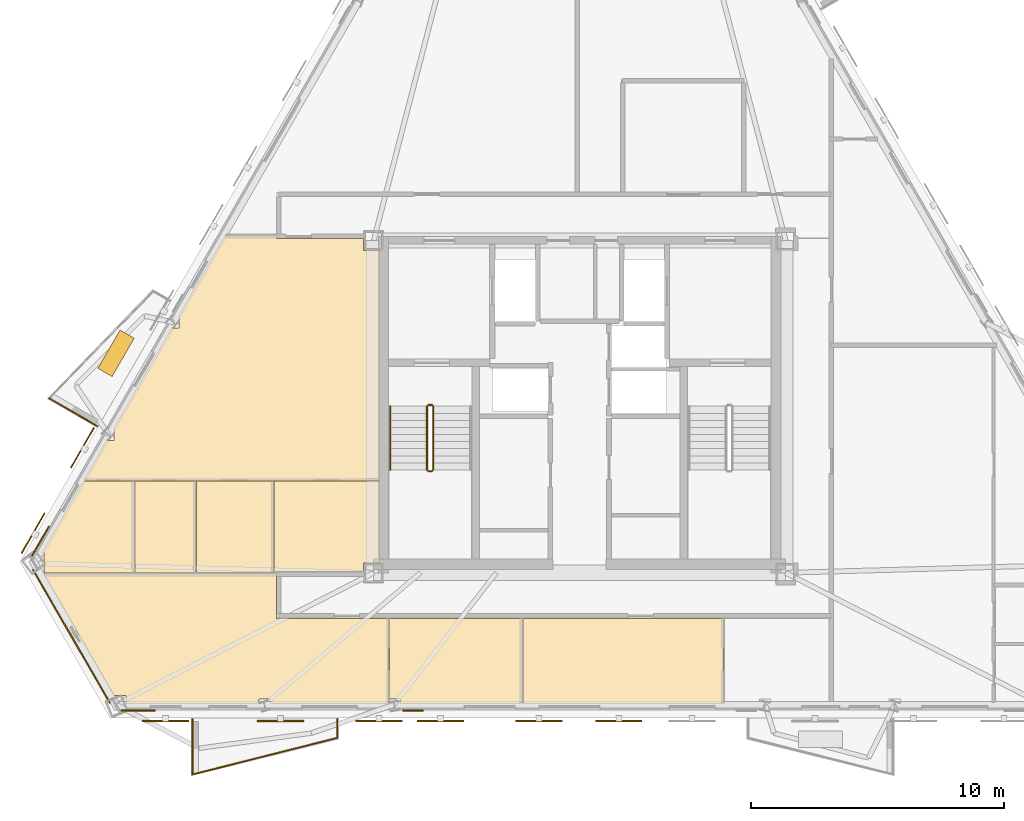
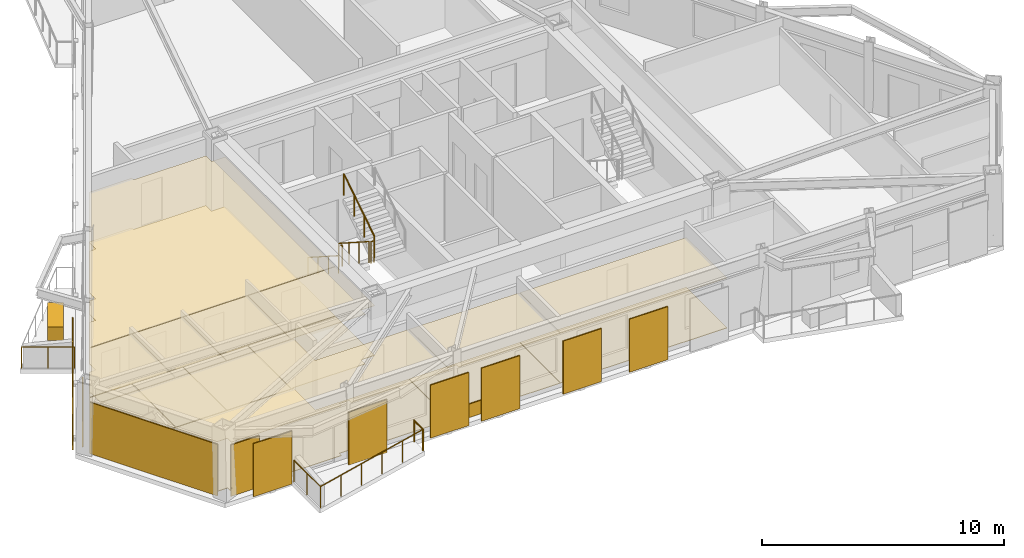
# One storey, part 7 of 9: 21 coverings, 9 railings, 8 shading devices.
"""IFC4 building model written with IfcOpenShell, lengths in metres."""

import ifcopenshell
import ifcopenshell.guid

model = None  # the IFC model being written
_history = None  # IfcOwnerHistory: only IFC2X3 demands one
_inside = {}  # id of a spatial element -> (the spatial element, [elements in it])
_under = {}  # id of a project, library or spatial element -> (it, [spatial elements below it])
_declared = {}  # id of a project -> (the project, [libraries it declares])
_typed = {}  # id of a type object -> (the type object, [elements of that type])
_made_of = {}  # id of a material, layer set ... -> (it, [elements and type objects made of it])


def new_model(schema):
    """Start an empty IFC model of exactly this schema.

    Asked for "IFC4X3", IfcOpenShell would pick the latest addendum, in which some entities
    have other attributes; the version numbers below select the first issue.
    IFC2X3 requires an IfcOwnerHistory on every rooted entity: one is made here for all.
    """
    global model, _history
    if schema == "IFC4X3":
        model = ifcopenshell.file(schema_version=(4, 3, 0, 0))
    else:
        model = ifcopenshell.file(schema=schema)
    _inside.clear()
    _under.clear()
    _declared.clear()
    _typed.clear()
    _made_of.clear()
    _history = None
    if model.schema == "IFC2X3":
        org = make("IfcOrganization", Name="unknown")
        user = make(
            "IfcPersonAndOrganization",
            ThePerson=make("IfcPerson", FamilyName="unknown"),
            TheOrganization=org,
        )
        app = make(
            "IfcApplication",
            ApplicationDeveloper=org,
            Version="unknown",
            ApplicationFullName="unknown",
            ApplicationIdentifier="unknown",
        )
        _history = make(
            "IfcOwnerHistory",
            OwningUser=user,
            OwningApplication=app,
            ChangeAction="ADDED",
            CreationDate=0,
        )
    return model


def make(cls, **values):
    """One entity of the class cls with the attributes given. An attribute that is None is left unset."""
    return model.create_entity(
        cls, **{name: value for name, value in values.items() if value is not None}
    )


def rooted(cls, **values):
    """An entity with a GlobalId (a new one), such as an element, a storey or a relation."""
    return make(cls, GlobalId=ifcopenshell.guid.new(), OwnerHistory=_history, **values)


def si_unit(unit_type, name, prefix=None):
    """IfcSIUnit, for example si_unit("LENGTHUNIT", "METRE", prefix="MILLI")."""
    return make("IfcSIUnit", UnitType=unit_type, Prefix=prefix, Name=name)


def assignment(units):
    """IfcUnitAssignment: the units of a project."""
    return None if units is None else make("IfcUnitAssignment", Units=units)


def point(xyz):
    """IfcCartesianPoint."""
    return None if xyz is None else make("IfcCartesianPoint", Coordinates=xyz)


def direction(xyz):
    """IfcDirection."""
    return None if xyz is None else make("IfcDirection", DirectionRatios=xyz)


def frame(location, z_axis=None, x_axis=None):
    """IfcAxis2Placement3D, a coordinate frame: its origin and axes. An axis left out is left unset."""
    return make(
        "IfcAxis2Placement3D",
        Location=point(location),
        Axis=direction(z_axis),
        RefDirection=direction(x_axis),
    )


def frame_2d(location, x_axis=None):
    """IfcAxis2Placement2D, a coordinate frame in the plane: its origin and x axis."""
    return make(
        "IfcAxis2Placement2D", Location=point(location), RefDirection=direction(x_axis)
    )


def origin():
    """The frame at (0, 0, 0) with its axes left unset."""
    return frame((0.0, 0.0, 0.0))


def origin_2d():
    """The frame at (0, 0) in the plane with its x axis left unset."""
    return frame_2d((0.0, 0.0))


def place(relative_to, where):
    """IfcLocalPlacement: puts the frame where relative to a parent placement (None: the world)."""
    return make(
        "IfcLocalPlacement", PlacementRelTo=relative_to, RelativePlacement=where
    )


def context(
    kind, dimensions, precision=None, world=None, true_north=None, identifier=None
):
    """IfcGeometricRepresentationContext, for example the 3D "Model" context."""
    return make(
        "IfcGeometricRepresentationContext",
        ContextIdentifier=identifier,
        ContextType=kind,
        CoordinateSpaceDimension=dimensions,
        Precision=precision,
        WorldCoordinateSystem=world,
        TrueNorth=true_north,
    )


def subcontext(parent, identifier, kind, view, scale=None):
    """IfcGeometricRepresentationSubContext, for example "Body" below "Model"."""
    return make(
        "IfcGeometricRepresentationSubContext",
        ContextIdentifier=identifier,
        ContextType=kind,
        ParentContext=parent,
        TargetScale=scale,
        TargetView=view,
    )


def project(units=None, contexts=None):
    """IfcProject with its units and contexts."""
    return rooted(
        "IfcProject",
        Name="project",
        RepresentationContexts=contexts,
        UnitsInContext=assignment(units),
    )


def spatial(cls, under=None, at=None, **own):
    """A site, building, storey or space (cls), placed at a placement, below another one or the project."""
    s = rooted(cls, ObjectPlacement=at, **own)
    if under is not None:
        _under.setdefault(under.id(), (under, []))[1].append(s)
    return s


def polyline(points):
    """IfcPolyline through the points."""
    return make("IfcPolyline", Points=[point(p) for p in points])


def profile(cls, at=None, kind="AREA", **sizes):
    """A parametric profile (cls). Its sizes go by their IFC names, for example OverallWidth=200.0."""
    return make(cls, ProfileType=kind, Position=at, **sizes)


def rectangle(**sizes):
    """IfcRectangleProfileDef."""
    return profile("IfcRectangleProfileDef", **sizes)


def circle(**sizes):
    """IfcCircleProfileDef."""
    return profile("IfcCircleProfileDef", **sizes)


def outline(outer, holes=None, kind="AREA"):
    """IfcArbitraryClosedProfileDef: a profile drawn as a closed curve; with holes, ...WithVoids."""
    if holes is None:
        return make("IfcArbitraryClosedProfileDef", ProfileType=kind, OuterCurve=outer)
    return make(
        "IfcArbitraryProfileDefWithVoids",
        ProfileType=kind,
        OuterCurve=outer,
        InnerCurves=holes,
    )


def extrude(swept, where, along, depth):
    """IfcExtrudedAreaSolid: the profile swept, set in the frame where, extruded along a direction by depth."""
    return make(
        "IfcExtrudedAreaSolid",
        SweptArea=swept,
        Position=where,
        ExtrudedDirection=direction(along),
        Depth=depth,
    )


def shape(context_of_items, identifier, shape_type, items):
    """IfcShapeRepresentation: the items that make up one representation, for example the "Body"."""
    return make(
        "IfcShapeRepresentation",
        ContextOfItems=context_of_items,
        RepresentationIdentifier=identifier,
        RepresentationType=shape_type,
        Items=items,
    )


def material(Name=None, Category=None):
    """IfcMaterial."""
    return make("IfcMaterial", Name=Name, Category=Category)


def layer(
    of_material, thickness, ventilated=None, Name=None, Category=None, Priority=None
):
    """IfcMaterialLayer: one layer of a wall or slab, of a material (None: an air gap)."""
    return make(
        "IfcMaterialLayer",
        Material=of_material,
        LayerThickness=thickness,
        IsVentilated=ventilated,
        Name=Name,
        Category=Category,
        Priority=Priority,
    )


def layer_set(layers, Name=None):
    """IfcMaterialLayerSet."""
    return make("IfcMaterialLayerSet", MaterialLayers=layers, LayerSetName=Name)


def made_of(thing, what):
    """Note that an element or type object is made of a material, layer set ...; save() writes the relation."""
    if what is not None:
        _made_of.setdefault(what.id(), (what, []))[1].append(thing)
    return thing


def type_object(cls, material=None, **own):
    """A type object (cls), such as IfcWallType, which elements share."""
    return made_of(rooted(cls, **own), material)


def element(
    cls,
    number,
    at=None,
    inside=None,
    cuts=None,
    type_object=None,
    material=None,
    context=None,
    identifier="Body",
    shape_type=None,
    held_by="IfcProductDefinitionShape",
    body=None,
    shapes=None,
    **own,
):
    """One element of the class cls, such as IfcWall. Its Tag is "e" and its number.

    at: its placement. inside: the storey or other place that contains it. cuts: it is an
    opening in that element (IfcRelVoidsElement). A single representation is given by context,
    identifier, shape_type and body (its items); several are given by shapes. held_by: the class
    of the entity that holds the representations. save() writes the other relations.
    """
    e = rooted(cls, Tag="e%d" % number, ObjectPlacement=at, **own)
    if body is not None:
        shapes = [shape(context, identifier, shape_type, body)]
    if shapes is not None:
        e.Representation = make(held_by, Representations=shapes)
    if inside is not None:
        _inside.setdefault(inside.id(), (inside, []))[1].append(e)
    if cuts is not None:
        rooted(
            "IfcRelVoidsElement", RelatingBuildingElement=cuts, RelatedOpeningElement=e
        )
    if type_object is not None:
        _typed.setdefault(type_object.id(), (type_object, []))[1].append(e)
    return made_of(e, material)


def aggregate(whole, parts):
    """IfcRelAggregates: a whole, such as a stair, and the parts it consists of."""
    return rooted("IfcRelAggregates", RelatingObject=whole, RelatedObjects=parts)


def save(model, path):
    """Write the relations noted so far, then the file.

    IfcRelAggregates (storeys below a building ...), IfcRelContainedInSpatialStructure (elements
    in a storey), IfcRelDefinesByType, IfcRelAssociatesMaterial and IfcRelDeclares: one each for
    every whole, place, type object, material and project.
    """
    for whole, parts in _under.values():
        aggregate(whole, parts)
    for where, things in _inside.values():
        rooted(
            "IfcRelContainedInSpatialStructure",
            RelatedElements=things,
            RelatingStructure=where,
        )
    for kind, things in _typed.values():
        rooted("IfcRelDefinesByType", RelatedObjects=things, RelatingType=kind)
    for what, things in _made_of.values():
        rooted("IfcRelAssociatesMaterial", RelatedObjects=things, RelatingMaterial=what)
    for by, libraries in _declared.values():
        rooted("IfcRelDeclares", RelatingContext=by, RelatedDefinitions=libraries)
    model.write(path)


model = new_model("IFC4")

# Units and contexts
model_context = context("Model", 3, precision=1e-05, world=origin(), true_north=direction((0.0, 1.0)))
body_context = subcontext(model_context, "Body", "Model", "MODEL_VIEW")
ifc_project = project(units=[si_unit("LENGTHUNIT", "METRE"), si_unit("AREAUNIT", "SQUARE_METRE"), si_unit("VOLUMEUNIT", "CUBIC_METRE"), si_unit("PLANEANGLEUNIT", "RADIAN"), si_unit("MASSUNIT", "GRAM", prefix="KILO")], contexts=[model_context])

# Site, building, storey
site_placement = place(None, origin())
site = spatial("IfcSite", under=ifc_project, at=site_placement, CompositionType="ELEMENT")
building_placement = place(site_placement, origin())
building = spatial("IfcBuilding", under=site, at=building_placement, Name="Oramaril Tower", CompositionType="ELEMENT")
storey_placement = place(building_placement, frame((0.0, 0.0, 219.89990234375)))
storey = spatial("IfcBuildingStorey", under=building, at=storey_placement, Name="L58", CompositionType="ELEMENT", Elevation=219.89990234375)

# Coverings
ifc_material_1 = material(Name="Mineral Fibre Acoustic Ceiling")
ifc_layer_1 = layer(ifc_material_1, 0.02001953125)
ifc_layer_set_1 = layer_set([ifc_layer_1], Name="CVT-CEIL")
covering_type_1 = type_object("IfcCoveringType", Name="CVT-CEIL", PredefinedType="CEILING", material=ifc_layer_set_1)
covering_1_placement = place(storey_placement, frame((0.0, 0.0, 2.51220703125)))
element("IfcCovering", 1, at=covering_1_placement, inside=storey, type_object=covering_type_1, Name="L58 Acoustic Suspended Ceiling 5", PredefinedType="CEILING", context=body_context, shape_type="SweptSolid", body=[
    extrude(outline(polyline([(29.9599609375, 6.00341796875), (29.94287109375, 6.00341796875), (29.94287109375, 5.826171875), (25.26416015625, 5.826171875), (25.26416015625, 6.00341796875), (24.806640625, 6.00341796875), (24.806640625, 5.826171875), (19.55322265625, 5.826171875), (19.55322265625, 6.154052734375), (19.05615234375, 6.154052734375), (16.262939453125, 10.991943359375), (25.5, 10.991943359375), (25.5, 9.219970703125), (25.5, 9.218017578125), (25.50048828125, 9.216064453125), (25.5009765625, 9.214111328125), (25.50146484375, 9.21240234375), (25.50244140625, 9.210693359375), (25.50341796875, 9.208984375), (25.50439453125, 9.207275390625), (25.505859375, 9.205810546875), (25.50732421875, 9.20458984375), (25.5087890625, 9.203369140625), (25.510498046875, 9.202392578125), (25.51220703125, 9.201416015625), (25.51416015625, 9.200927734375), (25.51611328125, 9.200439453125), (25.51806640625, 9.2001953125), (25.52001953125, 9.199951171875), (29.9599609375, 9.199951171875), (29.9599609375, 6.00341796875)])), origin(), (0.0, 0.0, 1.0), 0.019775390625),
])
covering_2_placement = place(storey_placement, frame((0.0, 0.0, 2.51220703125)))
element("IfcCovering", 2, at=covering_2_placement, inside=storey, type_object=covering_type_1, Name="L58 Acoustic Suspended Ceiling 6", PredefinedType="CEILING", context=body_context, shape_type="SweptSolid", body=[
    extrude(outline(polyline([(30.392822265625, 5.826171875), (30.392822265625, 6.00341796875), (29.97998046875, 6.00341796875), (29.97998046875, 9.199951171875), (35.241943359375, 9.199951171875), (35.241943359375, 5.826171875), (30.392822265625, 5.826171875)])), origin(), (0.0, 0.0, 1.0), 0.019775390625),
])
covering_3_placement = place(storey_placement, frame((0.0, 0.0, 2.51220703125)))
element("IfcCovering", 3, at=covering_3_placement, inside=storey, type_object=covering_type_1, Name="L58 Acoustic Suspended Ceiling 7", PredefinedType="CEILING", context=body_context, shape_type="SweptSolid", body=[
    extrude(outline(polyline([(35.261962890625, 5.826171875), (35.261962890625, 9.199951171875), (43.20458984375, 9.199951171875), (43.20458984375, 5.826171875), (35.261962890625, 5.826171875)])), origin(), (0.0, 0.0, 1.0), 0.019775390625),
])
covering_4_placement = place(storey_placement, frame((0.0, 0.0, 2.51220703125)))
element("IfcCovering", 4, at=covering_4_placement, inside=storey, type_object=covering_type_1, Name="L58 Acoustic Suspended Ceiling 9", PredefinedType="CEILING", context=body_context, shape_type="SweptSolid", body=[
    extrude(outline(polyline([(28.955078125, 23.7548828125), (29.60009765625, 23.7548828125), (29.60009765625, 14.651611328125), (17.872314453125, 14.651611328125), (18.787109375, 16.235595703125), (19.08447265625, 16.235595703125), (19.08447265625, 16.7236328125), (19.06884765625, 16.7236328125), (21.355224609375, 20.683837890625), (21.652587890625, 20.683837890625), (21.652587890625, 21.165283203125), (21.633056640625, 21.165283203125), (23.478759765625, 24.362060546875), (25.5, 24.362060546875), (25.5, 24.239990234375), (25.5, 24.238037109375), (25.50048828125, 24.236083984375), (25.5009765625, 24.234130859375), (25.50146484375, 24.232421875), (25.50244140625, 24.230712890625), (25.50341796875, 24.22900390625), (25.50439453125, 24.227294921875), (25.505859375, 24.225830078125), (25.50732421875, 24.224609375), (25.5087890625, 24.223388671875), (25.510498046875, 24.222412109375), (25.51220703125, 24.221435546875), (25.51416015625, 24.220947265625), (25.51611328125, 24.220458984375), (25.51806640625, 24.22021484375), (25.52001953125, 24.219970703125), (28.955078125, 24.219970703125), (28.955078125, 23.7548828125)])), origin(), (0.0, 0.0, 1.0), 0.019775390625),
])
covering_5_placement = place(storey_placement, frame((0.0, 0.0, 2.51220703125)))
element("IfcCovering", 5, at=covering_5_placement, inside=storey, type_object=covering_type_1, Name="L58 Acoustic Suspended Ceiling 10", PredefinedType="CEILING", context=body_context, shape_type="SweptSolid", body=[
    extrude(outline(polyline([(16.300048828125, 11.798095703125), (16.224853515625, 11.798095703125), (17.8623046875, 14.63427734375), (17.86279296875, 14.634033203125), (17.86474609375, 14.63330078125), (17.866455078125, 14.632568359375), (17.868408203125, 14.632080078125), (17.870361328125, 14.631591796875), (17.872314453125, 14.631591796875), (19.877197265625, 14.631591796875), (19.877197265625, 11.011962890625), (16.300048828125, 11.011962890625), (16.300048828125, 11.798095703125)])), origin(), (0.0, 0.0, 1.0), 0.019775390625),
])
covering_6_placement = place(storey_placement, frame((0.0, 0.0, 2.51220703125)))
element("IfcCovering", 6, at=covering_6_placement, inside=storey, type_object=covering_type_1, Name="L58 Acoustic Suspended Ceiling 11", PredefinedType="CEILING", context=body_context, shape_type="SweptSolid", body=[
    extrude(outline(polyline([(22.311279296875, 11.011962890625), (19.897216796875, 11.011962890625), (19.897216796875, 14.631591796875), (22.311279296875, 14.631591796875), (22.311279296875, 11.011962890625)])), origin(), (0.0, 0.0, 1.0), 0.019775390625),
])
covering_7_placement = place(storey_placement, frame((0.0, 0.0, 2.51220703125)))
element("IfcCovering", 7, at=covering_7_placement, inside=storey, type_object=covering_type_1, Name="L58 Acoustic Suspended Ceiling 12", PredefinedType="CEILING", context=body_context, shape_type="SweptSolid", body=[
    extrude(outline(polyline([(25.394287109375, 11.011962890625), (22.331298828125, 11.011962890625), (22.331298828125, 14.631591796875), (25.394287109375, 14.631591796875), (25.394287109375, 11.011962890625)])), origin(), (0.0, 0.0, 1.0), 0.019775390625),
])
covering_8_placement = place(storey_placement, frame((0.0, 0.0, 2.51220703125)))
element("IfcCovering", 8, at=covering_8_placement, inside=storey, type_object=covering_type_1, Name="L58 Acoustic Suspended Ceiling 13", PredefinedType="CEILING", context=body_context, shape_type="SweptSolid", body=[
    extrude(outline(polyline([(29.60009765625, 11.39501953125), (28.955078125, 11.39501953125), (28.955078125, 11.050048828125), (25.52001953125, 11.050048828125), (25.51806640625, 11.0498046875), (25.51611328125, 11.049560546875), (25.51416015625, 11.049072265625), (25.51220703125, 11.048583984375), (25.510498046875, 11.047607421875), (25.5087890625, 11.046630859375), (25.50732421875, 11.04541015625), (25.505859375, 11.044189453125), (25.50439453125, 11.042724609375), (25.50341796875, 11.041015625), (25.50244140625, 11.039306640625), (25.50146484375, 11.03759765625), (25.5009765625, 11.035888671875), (25.50048828125, 11.033935546875), (25.5, 11.031982421875), (25.5, 11.030029296875), (25.5, 11.011962890625), (25.414306640625, 11.011962890625), (25.414306640625, 14.631591796875), (29.60009765625, 14.631591796875), (29.60009765625, 11.39501953125)])), origin(), (0.0, 0.0, 1.0), 0.019775390625),
])
ifc_material_2 = material(Name="Warm Cream Limestone", Category="masonry")
ifc_layer_2 = layer(ifc_material_2, 0.050048828125)
ifc_layer_set_2 = layer_set([ifc_layer_2], Name="CVT-CLD")
covering_type_2 = type_object("IfcCoveringType", Name="CVT-CLD", PredefinedType="CLADDING", material=ifc_layer_set_2)
covering_9_placement = place(storey_placement, frame((17.389404296875, 8.489013671875, 0.0400390625), z_axis=(0.0, 0.0, 1.0), x_axis=(0.499992442484, -0.866029767075, 0.0)))
element("IfcCovering", 9, at=covering_9_placement, inside=storey, type_object=covering_type_2, Name="L58 Warm Cream Limestone Cladding", PredefinedType="CLADDING", context=body_context, shape_type="SweptSolid", body=[
    extrude(rectangle(XDim=6.09326171875, YDim=0.050048828125, at=origin_2d()), origin(), (0.0, 0.0, 1.0), 2.596923828125),
])
covering_10_placement = place(storey_placement, frame((20.033203125, 5.550048828125, 0.0400390625), z_axis=(0.0, 0.0, 1.0), x_axis=(1.0, 0.0, 0.0)))
element("IfcCovering", 10, at=covering_10_placement, inside=storey, type_object=covering_type_2, Name="L58 Warm Cream Limestone Cladding", PredefinedType="CLADDING", context=body_context, shape_type="SweptSolid", body=[
    extrude(rectangle(XDim=1.35009765625, YDim=0.050048828125, at=origin_2d()), origin(), (0.0, 0.0, 1.0), 2.596923828125),
])
covering_11_placement = place(storey_placement, frame((30.906005859375, 5.550048828125, 0.0400390625), z_axis=(0.0, 0.0, 1.0), x_axis=(1.0, 0.0, 0.0)))
element("IfcCovering", 11, at=covering_11_placement, inside=storey, type_object=covering_type_2, Name="L58 Warm Cream Limestone Spandrel Cladding", PredefinedType="CLADDING", context=body_context, shape_type="SweptSolid", body=[
    extrude(rectangle(XDim=0.800048828125, YDim=0.050048828125, at=origin_2d()), origin(), (0.0, 0.0, 1.0), 0.679931640625),
])
covering_12_placement = place(storey_placement, frame((16.166015625, 12.248291015625, 0.0400390625), z_axis=(0.0, 0.0, 1.0), x_axis=(-0.4999984885, -0.866026276448, 0.0)))
element("IfcCovering", 12, at=covering_12_placement, inside=storey, type_object=covering_type_2, Name="L58 Warm Cream Limestone Cladding", PredefinedType="CLADDING", context=body_context, shape_type="SweptSolid", body=[
    extrude(rectangle(XDim=1.35009765625, YDim=0.050048828125, at=origin_2d()), origin(), (0.0, 0.0, 1.0), 2.596923828125),
])
covering_13_placement = place(storey_placement, frame((19.156005859375, 19.683837890625, 0.0), z_axis=(0.0, 0.0, 1.0), x_axis=(-0.5, -0.866025403784, 0.0)))
element("IfcCovering", 13, at=covering_13_placement, inside=storey, type_object=covering_type_2, Name="L58 Structural Tree Planter Box L58-BAL-NW2", PredefinedType="CLADDING", context=body_context, shape_type="SweptSolid", body=[
    extrude(rectangle(XDim=1.75, YDim=0.64990234375, at=origin_2d()), origin(), (0.0, 0.0, 1.0), 0.699951171875),
])
ifc_material_3 = material(Name="Honed Quartzite Stone Flooring", Category="masonry")
ifc_layer_3 = layer(ifc_material_3, 0.02490234375)
ifc_layer_set_3 = layer_set([ifc_layer_3], Name="CVT-FLR")
covering_type_3 = type_object("IfcCoveringType", Name="CVT-FLR", PredefinedType="FLOORING", material=ifc_layer_set_3)
covering_14_placement = place(storey_placement, origin())
element("IfcCovering", 14, at=covering_14_placement, inside=storey, type_object=covering_type_3, Name="L58 Honed Stone Floor Finish 5", PredefinedType="FLOORING", context=body_context, shape_type="SweptSolid", body=[
    extrude(outline(polyline([(29.9599609375, 6.00341796875), (29.94287109375, 6.00341796875), (29.94287109375, 5.826171875), (25.26416015625, 5.826171875), (25.26416015625, 6.00341796875), (24.806640625, 6.00341796875), (24.806640625, 5.826171875), (19.55322265625, 5.826171875), (19.55322265625, 6.154052734375), (19.05615234375, 6.154052734375), (16.262939453125, 10.991943359375), (25.5, 10.991943359375), (25.5, 9.219970703125), (25.5, 9.218017578125), (25.50048828125, 9.216064453125), (25.5009765625, 9.214111328125), (25.50146484375, 9.21240234375), (25.50244140625, 9.210693359375), (25.50341796875, 9.208984375), (25.50439453125, 9.207275390625), (25.505859375, 9.205810546875), (25.50732421875, 9.20458984375), (25.5087890625, 9.203369140625), (25.510498046875, 9.202392578125), (25.51220703125, 9.201416015625), (25.51416015625, 9.200927734375), (25.51611328125, 9.200439453125), (25.51806640625, 9.2001953125), (25.52001953125, 9.199951171875), (29.9599609375, 9.199951171875), (29.9599609375, 6.00341796875)])), origin(), (0.0, 0.0, 1.0), 0.025146484375),
])
covering_15_placement = place(storey_placement, origin())
element("IfcCovering", 15, at=covering_15_placement, inside=storey, type_object=covering_type_3, Name="L58 Honed Stone Floor Finish 6", PredefinedType="FLOORING", context=body_context, shape_type="SweptSolid", body=[
    extrude(outline(polyline([(30.392822265625, 5.826171875), (30.392822265625, 6.00341796875), (29.97998046875, 6.00341796875), (29.97998046875, 9.199951171875), (35.241943359375, 9.199951171875), (35.241943359375, 5.826171875), (30.392822265625, 5.826171875)])), origin(), (0.0, 0.0, 1.0), 0.025146484375),
])
covering_16_placement = place(storey_placement, origin())
element("IfcCovering", 16, at=covering_16_placement, inside=storey, type_object=covering_type_3, Name="L58 Honed Stone Floor Finish 7", PredefinedType="FLOORING", context=body_context, shape_type="SweptSolid", body=[
    extrude(outline(polyline([(35.261962890625, 5.826171875), (35.261962890625, 9.199951171875), (43.20458984375, 9.199951171875), (43.20458984375, 5.826171875), (35.261962890625, 5.826171875)])), origin(), (0.0, 0.0, 1.0), 0.025146484375),
])
covering_17_placement = place(storey_placement, origin())
element("IfcCovering", 17, at=covering_17_placement, inside=storey, type_object=covering_type_3, Name="L58 Honed Stone Floor Finish 9", PredefinedType="FLOORING", context=body_context, shape_type="SweptSolid", body=[
    extrude(outline(polyline([(28.955078125, 23.7548828125), (29.60009765625, 23.7548828125), (29.60009765625, 14.651611328125), (17.872314453125, 14.651611328125), (18.787109375, 16.235595703125), (19.08447265625, 16.235595703125), (19.08447265625, 16.7236328125), (19.06884765625, 16.7236328125), (21.355224609375, 20.683837890625), (21.652587890625, 20.683837890625), (21.652587890625, 21.165283203125), (21.633056640625, 21.165283203125), (23.478759765625, 24.362060546875), (25.5, 24.362060546875), (25.5, 24.239990234375), (25.5, 24.238037109375), (25.50048828125, 24.236083984375), (25.5009765625, 24.234130859375), (25.50146484375, 24.232421875), (25.50244140625, 24.230712890625), (25.50341796875, 24.22900390625), (25.50439453125, 24.227294921875), (25.505859375, 24.225830078125), (25.50732421875, 24.224609375), (25.5087890625, 24.223388671875), (25.510498046875, 24.222412109375), (25.51220703125, 24.221435546875), (25.51416015625, 24.220947265625), (25.51611328125, 24.220458984375), (25.51806640625, 24.22021484375), (25.52001953125, 24.219970703125), (28.955078125, 24.219970703125), (28.955078125, 23.7548828125)])), origin(), (0.0, 0.0, 1.0), 0.025146484375),
])
covering_18_placement = place(storey_placement, origin())
element("IfcCovering", 18, at=covering_18_placement, inside=storey, type_object=covering_type_3, Name="L58 Honed Stone Floor Finish 10", PredefinedType="FLOORING", context=body_context, shape_type="SweptSolid", body=[
    extrude(outline(polyline([(16.300048828125, 11.798095703125), (16.224853515625, 11.798095703125), (17.8623046875, 14.63427734375), (17.86279296875, 14.634033203125), (17.86474609375, 14.63330078125), (17.866455078125, 14.632568359375), (17.868408203125, 14.632080078125), (17.870361328125, 14.631591796875), (17.872314453125, 14.631591796875), (19.877197265625, 14.631591796875), (19.877197265625, 11.011962890625), (16.300048828125, 11.011962890625), (16.300048828125, 11.798095703125)])), origin(), (0.0, 0.0, 1.0), 0.025146484375),
])
covering_19_placement = place(storey_placement, origin())
element("IfcCovering", 19, at=covering_19_placement, inside=storey, type_object=covering_type_3, Name="L58 Honed Stone Floor Finish 11", PredefinedType="FLOORING", context=body_context, shape_type="SweptSolid", body=[
    extrude(outline(polyline([(22.311279296875, 11.011962890625), (19.897216796875, 11.011962890625), (19.897216796875, 14.631591796875), (22.311279296875, 14.631591796875), (22.311279296875, 11.011962890625)])), origin(), (0.0, 0.0, 1.0), 0.025146484375),
])
covering_20_placement = place(storey_placement, origin())
element("IfcCovering", 20, at=covering_20_placement, inside=storey, type_object=covering_type_3, Name="L58 Honed Stone Floor Finish 12", PredefinedType="FLOORING", context=body_context, shape_type="SweptSolid", body=[
    extrude(outline(polyline([(25.394287109375, 11.011962890625), (22.331298828125, 11.011962890625), (22.331298828125, 14.631591796875), (25.394287109375, 14.631591796875), (25.394287109375, 11.011962890625)])), origin(), (0.0, 0.0, 1.0), 0.025146484375),
])
covering_21_placement = place(storey_placement, origin())
element("IfcCovering", 21, at=covering_21_placement, inside=storey, type_object=covering_type_3, Name="L58 Honed Stone Floor Finish 13", PredefinedType="FLOORING", context=body_context, shape_type="SweptSolid", body=[
    extrude(outline(polyline([(29.60009765625, 11.39501953125), (28.955078125, 11.39501953125), (28.955078125, 11.050048828125), (25.52001953125, 11.050048828125), (25.51806640625, 11.0498046875), (25.51611328125, 11.049560546875), (25.51416015625, 11.049072265625), (25.51220703125, 11.048583984375), (25.510498046875, 11.047607421875), (25.5087890625, 11.046630859375), (25.50732421875, 11.04541015625), (25.505859375, 11.044189453125), (25.50439453125, 11.042724609375), (25.50341796875, 11.041015625), (25.50244140625, 11.039306640625), (25.50146484375, 11.03759765625), (25.5009765625, 11.035888671875), (25.50048828125, 11.033935546875), (25.5, 11.031982421875), (25.5, 11.030029296875), (25.5, 11.011962890625), (25.414306640625, 11.011962890625), (25.414306640625, 14.631591796875), (29.60009765625, 14.631591796875), (29.60009765625, 11.39501953125)])), origin(), (0.0, 0.0, 1.0), 0.025146484375),
])

# Railings
ifc_material_4 = material(Name="Stainless Steel 316L", Category="steel")
railing_type_1 = type_object("IfcRailingType", Name="RLT-GRD", PredefinedType="GUARDRAIL", material=ifc_material_4)
railing_1_placement = place(storey_placement, frame((27.90771484375, 5.210205078125, 0.0)))
element("IfcRailing", 22, at=railing_1_placement, inside=storey, type_object=railing_type_1, Name="L58 Balcony Guardrail L58-BAL-S1.1", PredefinedType="GUARDRAIL", context=body_context, shape_type="SweptSolid", body=[
    extrude(circle(Radius=0.02392578125, at=origin_2d()), frame((0.0, 0.0, 1.076171875), z_axis=(0.0, -1.0, 0.0), x_axis=(1.0, 0.0, 0.0)), (0.0, 0.0, 1.0), 0.7421875),
    extrude(circle(Radius=0.02099609375, at=origin_2d()), origin(), (0.0, 0.0, 1.0), 1.052001953125),
    extrude(circle(Radius=0.02099609375, at=origin_2d()), frame((0.0, -0.7421875, 0.0)), (0.0, 0.0, 1.0), 1.052001953125),
])
railing_2_placement = place(storey_placement, frame((27.90771484375, 4.468017578125, 0.0)))
element("IfcRailing", 23, at=railing_2_placement, inside=storey, type_object=railing_type_1, Name="L58 Balcony Guardrail L58-BAL-S1.2", PredefinedType="GUARDRAIL", context=body_context, shape_type="SweptSolid", body=[
    extrude(circle(Radius=0.02392578125, at=origin_2d()), frame((0.0, 0.0, 1.076171875), z_axis=(-0.969446096844, -0.245304433946, 0.0), x_axis=(0.245304433946, -0.969446096844, 0.0)), (0.0, 0.0, 1.0), 5.910888671875),
    extrude(circle(Radius=0.02099609375, at=origin_2d()), origin(), (0.0, 0.0, 1.0), 1.052001953125),
    extrude(circle(Radius=0.02099609375, at=origin_2d()), frame((-1.14599609375, -0.2900390625, 0.0)), (0.0, 0.0, 1.0), 1.052001953125),
    extrude(circle(Radius=0.02099609375, at=origin_2d()), frame((-2.2919921875, -0.580078125, 0.0)), (0.0, 0.0, 1.0), 1.052001953125),
    extrude(circle(Radius=0.02099609375, at=origin_2d()), frame((-3.438232421875, -0.869873046875, 0.0)), (0.0, 0.0, 1.0), 1.052001953125),
    extrude(circle(Radius=0.02099609375, at=origin_2d()), frame((-4.584228515625, -1.159912109375, 0.0)), (0.0, 0.0, 1.0), 1.052001953125),
    extrude(circle(Radius=0.02099609375, at=origin_2d()), frame((-5.730224609375, -1.449951171875, 0.0)), (0.0, 0.0, 1.0), 1.052001953125),
])
railing_3_placement = place(storey_placement, frame((22.177490234375, 3.01806640625, 0.0)))
element("IfcRailing", 24, at=railing_3_placement, inside=storey, type_object=railing_type_1, Name="L58 Balcony Guardrail L58-BAL-S1.3", PredefinedType="GUARDRAIL", context=body_context, shape_type="SweptSolid", body=[
    extrude(circle(Radius=0.02392578125, at=origin_2d()), frame((0.0, 0.0, 1.076171875), z_axis=(0.0, 1.0, 0.0), x_axis=(-1.0, 0.0, 0.0)), (0.0, 0.0, 1.0), 2.192138671875),
    extrude(circle(Radius=0.02099609375, at=origin_2d()), origin(), (0.0, 0.0, 1.0), 1.052001953125),
    extrude(circle(Radius=0.02099609375, at=origin_2d()), frame((0.0, 1.09619140625, 0.0)), (0.0, 0.0, 1.0), 1.052001953125),
    extrude(circle(Radius=0.02099609375, at=origin_2d()), frame((0.0, 2.192138671875, 0.0)), (0.0, 0.0, 1.0), 1.052001953125),
])
railing_4_placement = place(storey_placement, frame((18.40625, 16.80859375, 0.0)))
element("IfcRailing", 25, at=railing_4_placement, inside=storey, type_object=railing_type_1, Name="L58 Balcony Guardrail L58-BAL-NW2.1", PredefinedType="GUARDRAIL", context=body_context, shape_type="SweptSolid", body=[
    extrude(circle(Radius=0.02392578125, at=origin_2d()), frame((0.0, 0.0, 1.076171875), z_axis=(-0.866020500697, 0.5000084923, 0.0), x_axis=(-0.5000084923, -0.866020500697, 0.0)), (0.0, 0.0, 1.0), 2.19189453125),
    extrude(circle(Radius=0.02099609375, at=origin_2d()), origin(), (0.0, 0.0, 1.0), 1.052001953125),
    extrude(circle(Radius=0.02099609375, at=origin_2d()), frame((-0.94921875, 0.5478515625, 0.0)), (0.0, 0.0, 1.0), 1.052001953125),
    extrude(circle(Radius=0.02099609375, at=origin_2d()), frame((-1.898193359375, 1.095947265625, 0.0)), (0.0, 0.0, 1.0), 1.052001953125),
])
railing_5_placement = place(storey_placement, frame((31.4599609375, 17.590087890625, 0.18017578125)))
element("IfcRailing", 26, at=railing_5_placement, inside=storey, type_object=railing_type_1, Name="L58 ST-1 stair guard 1", PredefinedType="GUARDRAIL", context=body_context, shape_type="SweptSolid", body=[
    extrude(circle(Radius=0.02392578125, at=origin_2d()), frame((0.0, 0.0, 1.076171875), z_axis=(0.0, -0.841199657755, 0.540724639528), x_axis=(1.0, 0.0, 0.0)), (0.0, 0.0, 1.0), 2.995849609375),
    extrude(circle(Radius=0.02099609375, at=origin_2d()), origin(), (0.0, 0.0, 1.0), 1.052001953125),
    extrude(circle(Radius=0.02099609375, at=origin_2d()), frame((0.0, -0.840087890625, 0.5400390625)), (0.0, 0.0, 1.0), 1.052001953125),
    extrude(circle(Radius=0.02099609375, at=origin_2d()), frame((0.0, -1.679931640625, 1.079833984375)), (0.0, 0.0, 1.0), 1.052001953125),
    extrude(circle(Radius=0.02099609375, at=origin_2d()), frame((0.0, -2.52001953125, 1.619873046875)), (0.0, 0.0, 1.0), 1.052001953125),
])
railing_6_placement = place(storey_placement, frame((31.510009765625, 15.02001953125, 1.800048828125)))
element("IfcRailing", 27, at=railing_6_placement, inside=storey, type_object=railing_type_1, Name="L58 ST-1 stair guard 2", PredefinedType="GUARDRAIL", context=body_context, shape_type="SweptSolid", body=[
    extrude(circle(Radius=0.02392578125, at=origin_2d()), frame((0.0, 0.0, 1.076171875), z_axis=(1.0, 0.0, 0.0), x_axis=(0.0, 1.0, 0.0)), (0.0, 0.0, 1.0), 0.14990234375),
    extrude(circle(Radius=0.02099609375, at=origin_2d()), origin(), (0.0, 0.0, 1.0), 1.052001953125),
    extrude(circle(Radius=0.02099609375, at=origin_2d()), frame((0.14990234375, 0.0, 0.0)), (0.0, 0.0, 1.0), 1.052001953125),
])
railing_7_placement = place(storey_placement, frame((31.7099609375, 15.070068359375, 1.97998046875)))
element("IfcRailing", 28, at=railing_7_placement, inside=storey, type_object=railing_type_1, Name="L58 ST-1 stair guard 3", PredefinedType="GUARDRAIL", context=body_context, shape_type="SweptSolid", body=[
    extrude(circle(Radius=0.02392578125, at=origin_2d()), frame((0.0, 0.0, 1.076171875), z_axis=(0.0, 0.841162588446, 0.540782303519), x_axis=(-1.0, 0.0, 0.0)), (0.0, 0.0, 1.0), 2.995849609375),
    extrude(circle(Radius=0.02099609375, at=origin_2d()), origin(), (0.0, 0.0, 1.0), 1.052001953125),
    extrude(circle(Radius=0.02099609375, at=origin_2d()), frame((0.0, 0.840087890625, 0.5400390625)), (0.0, 0.0, 1.0), 1.052001953125),
    extrude(circle(Radius=0.02099609375, at=origin_2d()), frame((0.0, 1.679931640625, 1.080078125)), (0.0, 0.0, 1.0), 1.052001953125),
    extrude(circle(Radius=0.02099609375, at=origin_2d()), frame((0.0, 2.52001953125, 1.6201171875)), (0.0, 0.0, 1.0), 1.052001953125),
])
railing_8_placement = place(storey_placement, frame((31.510009765625, 17.639892578125, 0.0)))
element("IfcRailing", 29, at=railing_8_placement, inside=storey, type_object=railing_type_1, Name="L58 ST-1 stair guard 4", PredefinedType="GUARDRAIL", context=body_context, shape_type="SweptSolid", body=[
    extrude(circle(Radius=0.02392578125, at=origin_2d()), frame((0.0, 0.0, 1.076171875), z_axis=(1.0, 0.0, 0.0), x_axis=(0.0, 1.0, 0.0)), (0.0, 0.0, 1.0), 0.14990234375),
    extrude(circle(Radius=0.02099609375, at=origin_2d()), origin(), (0.0, 0.0, 1.0), 1.052001953125),
    extrude(circle(Radius=0.02099609375, at=origin_2d()), frame((0.14990234375, 0.0, 0.0)), (0.0, 0.0, 1.0), 1.052001953125),
])
ifc_material_5 = material(Name="Stainless Steel 316L", Category="steel")
railing_type_2 = type_object("IfcRailingType", Name="RLT-HND", PredefinedType="HANDRAIL", material=ifc_material_5)
railing_9_placement = place(storey_placement, frame((30.0, 17.590087890625, 0.18017578125)))
element("IfcRailing", 30, at=railing_9_placement, inside=storey, type_object=railing_type_2, Name="L58 ST-1 stair handrail 1", PredefinedType="HANDRAIL", context=body_context, shape_type="SweptSolid", body=[
    extrude(circle(Radius=0.02392578125, at=origin_2d()), frame((0.0, 0.0, 0.8759765625), z_axis=(0.0, -0.841199657755, 0.540724639528), x_axis=(1.0, 0.0, 0.0)), (0.0, 0.0, 1.0), 2.995849609375),
    extrude(circle(Radius=0.02099609375, at=origin_2d()), origin(), (0.0, 0.0, 1.0), 0.851806640625),
    extrude(circle(Radius=0.02099609375, at=origin_2d()), frame((0.0, -0.840087890625, 0.5400390625)), (0.0, 0.0, 1.0), 0.851806640625),
    extrude(circle(Radius=0.02099609375, at=origin_2d()), frame((0.0, -1.679931640625, 1.079833984375)), (0.0, 0.0, 1.0), 0.851806640625),
    extrude(circle(Radius=0.02099609375, at=origin_2d()), frame((0.0, -2.52001953125, 1.619873046875)), (0.0, 0.0, 1.0), 0.851806640625),
])

# Shading devices
for number, where, z_axis, x_axis, name in (
    (31, (21.116943359375, 5.13818359375, -0.02001953125), (0.0, 0.0, 1.0), (1.0, 0.0, 0.0), "L58 Perforated Ceramic Solar Screen"),
    (32, (25.65625, 5.13818359375, -0.02001953125), (0.0, 0.0, 1.0), (1.0, 0.0, 0.0), "L58 Perforated Ceramic Solar Screen"),
    (33, (29.556396484375, 5.13818359375, -0.02001953125), (0.0, 0.0, 1.0), (1.0, 0.0, 0.0), "L58 Perforated Ceramic Solar Screen"),
    (34, (31.98828125, 5.13818359375, -0.02001953125), (0.0, 0.0, 1.0), (1.0, 0.0, 0.0), "L58 Perforated Ceramic Solar Screen"),
    (35, (35.88818359375, 5.13818359375, -0.02001953125), (0.0, 0.0, 1.0), (1.0, 0.0, 0.0), "L58 Perforated Ceramic Solar Screen"),
    (36, (39.0478515625, 5.13818359375, -0.02001953125), (0.0, 0.0, 1.0), (1.0, 0.0, 0.0), "L58 Perforated Ceramic Solar Screen"),
    (37, (17.824951171875, 15.945556640625, -0.02001953125), (0.0, 0.0, 1.0), (-0.4999984885, -0.866026276448, 0.0), "L58 Perforated Ceramic Solar Screen"),
    (38, (15.875, 12.568115234375, -0.02001953125), (0.0, 0.0, 1.0), (-0.4999984885, -0.866026276448, 0.0), "L58 Perforated Ceramic Solar Screen"),
):
    element("IfcShadingDevice", number, at=place(storey_placement, frame(where, z_axis=z_axis, x_axis=x_axis)), inside=storey, Name=name, ObjectType="SCREEN", PredefinedType="USERDEFINED", context=body_context, shape_type="SweptSolid", body=[
        extrude(rectangle(XDim=1.8330078125, YDim=0.050048828125, at=origin_2d()), origin(), (0.0, 0.0, 1.0), 2.677001953125),
    ])

save(model, "model.ifc")
